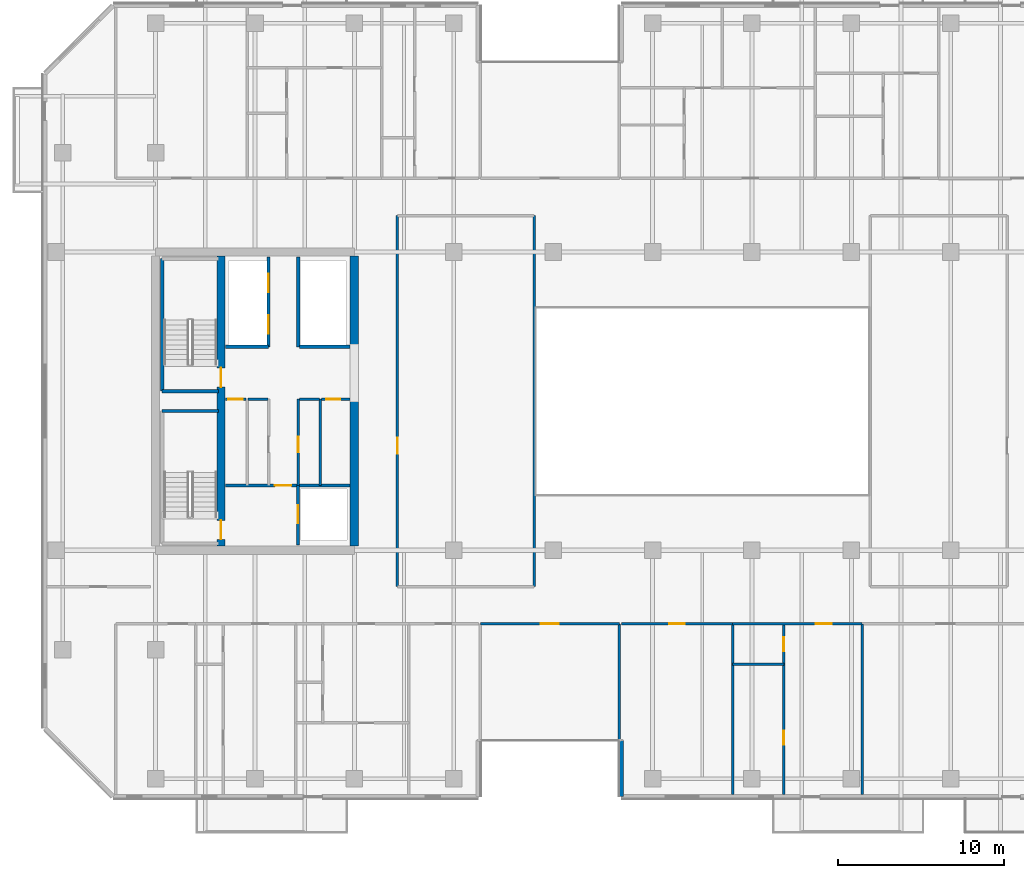
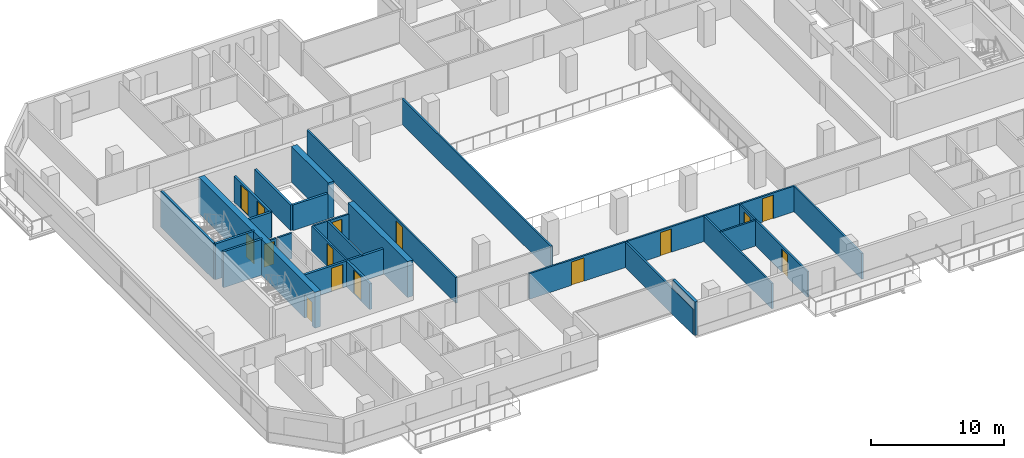
# One storey, part 11 of 23: 29 walls, 15 doors, 15 openings.
"""IFC4 building model written with IfcOpenShell, lengths in metres."""

from ifc_helpers import new_model, si_unit, direction, frame, frame_2d, origin, place, context, subcontext, project, spatial, rectangle, extrude, material, layer, layer_set, type_object, element, fill, save


model = new_model("IFC4")

# Units and contexts
model_context = context("Model", 3, precision=1e-05, world=origin(), true_north=direction((0.0, 1.0)))
body_context = subcontext(model_context, "Body", "Model", "MODEL_VIEW")
ifc_project = project(units=[si_unit("LENGTHUNIT", "METRE"), si_unit("AREAUNIT", "SQUARE_METRE"), si_unit("VOLUMEUNIT", "CUBIC_METRE"), si_unit("PLANEANGLEUNIT", "RADIAN"), si_unit("MASSUNIT", "GRAM", prefix="KILO")], contexts=[model_context])

# Site, building, storey
site_placement = place(None, origin())
site = spatial("IfcSite", under=ifc_project, at=site_placement, CompositionType="ELEMENT")
building_placement = place(site_placement, origin())
building = spatial("IfcBuilding", under=site, at=building_placement, Name="Tanjung Sevakor Pilgrim Tower", CompositionType="ELEMENT")
storey_placement = place(building_placement, frame((0.0, 0.0, 85.469970703125)))
storey = spatial("IfcBuildingStorey", under=building, at=storey_placement, Name="L23", CompositionType="ELEMENT", Elevation=85.469970703125)

# Walls
ifc_material_1 = material(Name="Concrete C60/75", Category="concrete")
ifc_layer_1 = layer(ifc_material_1, 0.5)
ifc_layer_set_1 = layer_set([ifc_layer_1], Name="WALL-CW-500")
wall_type_1 = type_object("IfcWallType", Name="WALL-CW-500", PredefinedType="SHEAR", material=ifc_layer_set_1)
wall_1_placement = place(storey_placement, frame((36.0, 24.85009765625, 0.0), z_axis=(0.0, 0.0, 1.0), x_axis=(0.0, 1.0, 0.0)))
element("IfcWall", 1, at=wall_1_placement, inside=storey, type_object=wall_type_1, Name="L23 W Core Inner Shear Wall South", PredefinedType="SHEAR", context=body_context, shape_type="SweptSolid", body=[
    extrude(rectangle(XDim=8.949951171875, YDim=0.5, at=frame_2d((4.47509765625, 0.0))), origin(), (0.0, 0.0, 1.0), 3.300048828125),
])
wall_2_placement = place(storey_placement, frame((36.0, 36.800048828125, 0.0), z_axis=(0.0, 0.0, 1.0), x_axis=(0.0, 1.0, 0.0)))
element("IfcWall", 2, at=wall_2_placement, inside=storey, type_object=wall_type_1, Name="L23 W Core Inner Shear Wall North", PredefinedType="SHEAR", context=body_context, shape_type="SweptSolid", body=[
    extrude(rectangle(XDim=5.550048828125, YDim=0.5, at=frame_2d((2.77490234375, 0.0))), origin(), (0.0, 0.0, 1.0), 3.300048828125),
])

# Wall, openings, doors
wall_3_placement = place(storey_placement, frame((27.949951171875, 24.85009765625, 0.0), z_axis=(0.0, 0.0, 1.0), x_axis=(0.0, 1.0, 0.0)))
wall_3 = element("IfcWall", 3, at=wall_3_placement, inside=storey, type_object=wall_type_1, Name="L23 W Core Stair Spine Wall", PredefinedType="SHEAR", context=body_context, shape_type="SweptSolid", body=[
    extrude(rectangle(XDim=17.5, YDim=0.5, at=frame_2d((8.75, 0.0))), origin(), (0.0, 0.0, 1.0), 3.300048828125),
])
opening_1_placement = place(wall_3_placement, frame((0.39990234375, 0.0, 0.0)))
opening_1 = element("IfcOpeningElement", 4, at=opening_1_placement, cuts=wall_3, Name="Opening ID-ST1", PredefinedType="OPENING", context=body_context, shape_type="SweptSolid", body=[
    extrude(rectangle(XDim=1.14990234375, YDim=2.14990234375, at=frame_2d((0.574951171875, 1.074951171875))), frame((0.0, 0.260009765625, 0.0), z_axis=(0.0, -1.0, 0.0), x_axis=(1.0, 0.0, 0.0)), (0.0, 0.0, 1.0), 0.52001953125),
])
opening_2_placement = place(wall_3_placement, frame((9.60009765625, 0.0, 0.0)))
opening_2 = element("IfcOpeningElement", 5, at=opening_2_placement, cuts=wall_3, Name="Opening ID-ST1", PredefinedType="OPENING", context=body_context, shape_type="SweptSolid", body=[
    extrude(rectangle(XDim=1.14990234375, YDim=2.14990234375, at=frame_2d((0.574951171875, 1.074951171875))), frame((0.0, 0.260009765625, 0.0), z_axis=(0.0, -1.0, 0.0), x_axis=(1.0, 0.0, 0.0)), (0.0, 0.0, 1.0), 0.52001953125),
])
ifc_material_2 = material(Name="Fire-Rated Steel S355J2", Category="steel")
door_type_1 = type_object("IfcDoorType", Name="DT-FIRE-1150", OperationType="NOTDEFINED", PredefinedType="DOOR", material=ifc_material_2)
door_1_placement = place(opening_1_placement, origin())
door_1 = element("IfcDoor", 6, at=door_1_placement, inside=storey, type_object=door_type_1, Name="L23 TS-W1 Stair Fire Door", OperationType="SINGLE_SWING_LEFT", OverallHeight=2.14990234375, OverallWidth=1.14990234375, PredefinedType="DOOR", context=body_context, shape_type="SweptSolid", body=[
    extrude(rectangle(XDim=1.14990234375, YDim=2.14990234375, at=frame_2d((0.574951171875, 1.074951171875))), frame((0.0, 0.02490234375, 0.0), z_axis=(0.0, -1.0, 0.0), x_axis=(1.0, 0.0, 0.0)), (0.0, 0.0, 1.0), 0.050048828125),
])
fill(opening_1, door_1)
door_2_placement = place(opening_2_placement, origin())
door_2 = element("IfcDoor", 7, at=door_2_placement, inside=storey, type_object=door_type_1, Name="L23 TS-W2 Stair Fire Door", OperationType="SINGLE_SWING_RIGHT", OverallHeight=2.14990234375, OverallWidth=1.14990234375, PredefinedType="DOOR", context=body_context, shape_type="SweptSolid", body=[
    extrude(rectangle(XDim=1.14990234375, YDim=2.14990234375, at=frame_2d((0.574951171875, 1.074951171875))), frame((0.0, 0.02490234375, 0.0), z_axis=(0.0, -1.0, 0.0), x_axis=(1.0, 0.0, 0.0)), (0.0, 0.0, 1.0), 0.050048828125),
])
fill(opening_2, door_2)

# Wall, opening, door
ifc_material_3 = material(Name="Concrete C40/50", Category="concrete")
ifc_layer_2 = layer(ifc_material_3, 0.14990234375)
ifc_layer_set_2 = layer_set([ifc_layer_2], Name="WT-COMP-150")
wall_type_2 = type_object("IfcWallType", Name="WT-COMP-150", PredefinedType="SOLIDWALL", material=ifc_layer_set_2)
wall_4_placement = place(storey_placement, frame((28.219970703125, 33.719970703125, 0.0), z_axis=(0.0, 0.0, 1.0), x_axis=(1.0, 0.0, 0.0)))
wall_4 = element("IfcWall", 8, at=wall_4_placement, inside=storey, type_object=wall_type_2, Name="L23 Partition IW-L23-004", PredefinedType="SOLIDWALL", context=body_context, shape_type="SweptSolid", body=[
    extrude(rectangle(XDim=1.22998046875, YDim=0.14990234375, at=frame_2d((0.614990234375, 0.0))), origin(), (0.0, 0.0, 1.0), 2.35009765625),
])
opening_3_placement = place(wall_4_placement, frame((0.179931640625, 0.0, 0.0)))
opening_3 = element("IfcOpeningElement", 9, at=opening_3_placement, cuts=wall_4, Name="Opening ID-FD3", PredefinedType="OPENING", context=body_context, shape_type="SweptSolid", body=[
    extrude(rectangle(XDim=0.85009765625, YDim=2.10009765625, at=frame_2d((0.425048828125, 1.050048828125))), frame((0.0, 0.0849609375, 0.0), z_axis=(0.0, -1.0, 0.0), x_axis=(1.0, 0.0, 0.0)), (0.0, 0.0, 1.0), 0.169921875),
])
ifc_material_4 = material(Name="Fire-Rated Timber", Category="wood")
door_type_2 = type_object("IfcDoorType", Name="DT-FIRE-850", OperationType="NOTDEFINED", PredefinedType="DOOR", material=ifc_material_4)
door_3_placement = place(opening_3_placement, origin())
door_3 = element("IfcDoor", 10, at=door_3_placement, inside=storey, type_object=door_type_2, Name="L23 Cleaner Store Door", OperationType="SINGLE_SWING_LEFT", OverallHeight=2.10009765625, OverallWidth=0.85009765625, PredefinedType="DOOR", context=body_context, shape_type="SweptSolid", body=[
    extrude(rectangle(XDim=0.85009765625, YDim=2.10009765625, at=frame_2d((0.425048828125, 1.050048828125))), frame((0.0, 0.02490234375, 0.0), z_axis=(0.0, -1.0, 0.0), x_axis=(1.0, 0.0, 0.0)), (0.0, 0.0, 1.0), 0.050048828125),
])
fill(opening_3, door_3)

# Walls
wall_5_placement = place(storey_placement, frame((29.580078125, 33.719970703125, 0.0), z_axis=(0.0, 0.0, 1.0), x_axis=(1.0, 0.0, 0.0)))
element("IfcWall", 11, at=wall_5_placement, inside=storey, type_object=wall_type_2, Name="L23 Partition IW-L23-005", PredefinedType="SOLIDWALL", context=body_context, shape_type="SweptSolid", body=[
    extrude(rectangle(XDim=1.219970703125, YDim=0.14990234375, at=frame_2d((0.60986328125, 0.0))), origin(), (0.0, 0.0, 1.0), 2.35009765625),
])
wall_6_placement = place(storey_placement, frame((33.949951171875, 28.5, 0.0), z_axis=(0.0, 0.0, 1.0), x_axis=(0.0, 1.0, 0.0)))
element("IfcWall", 12, at=wall_6_placement, inside=storey, type_object=wall_type_2, Name="L23 Partition IW-L23-007", PredefinedType="SOLIDWALL", context=body_context, shape_type="SweptSolid", body=[
    extrude(rectangle(XDim=5.219970703125, YDim=0.14990234375, at=frame_2d((2.60986328125, 0.0))), origin(), (0.0, 0.0, 1.0), 2.35009765625),
])
wall_7_placement = place(storey_placement, frame((32.679931640625, 33.719970703125, 0.0), z_axis=(0.0, 0.0, 1.0), x_axis=(1.0, 0.0, 0.0)))
element("IfcWall", 13, at=wall_7_placement, inside=storey, type_object=wall_type_2, Name="L23 Partition IW-L23-008", PredefinedType="SOLIDWALL", context=body_context, shape_type="SweptSolid", body=[
    extrude(rectangle(XDim=1.2099609375, YDim=0.14990234375, at=frame_2d((0.60498046875, 0.0))), origin(), (0.0, 0.0, 1.0), 2.35009765625),
])

# Wall, opening, door
wall_8_placement = place(storey_placement, frame((34.010009765625, 33.719970703125, 0.0), z_axis=(0.0, 0.0, 1.0), x_axis=(1.0, 0.0, 0.0)))
wall_8 = element("IfcWall", 14, at=wall_8_placement, inside=storey, type_object=wall_type_2, Name="L23 Partition IW-L23-009", PredefinedType="SOLIDWALL", context=body_context, shape_type="SweptSolid", body=[
    extrude(rectangle(XDim=1.719970703125, YDim=0.14990234375, at=frame_2d((0.85986328125, 0.0))), origin(), (0.0, 0.0, 1.0), 2.35009765625),
])
opening_4_placement = place(wall_8_placement, frame((0.280029296875, 0.0, 0.0)))
opening_4 = element("IfcOpeningElement", 15, at=opening_4_placement, cuts=wall_8, Name="Opening ID-FD3", PredefinedType="OPENING", context=body_context, shape_type="SweptSolid", body=[
    extrude(rectangle(XDim=0.85009765625, YDim=2.10009765625, at=frame_2d((0.425048828125, 1.050048828125))), frame((0.0, 0.0849609375, 0.0), z_axis=(0.0, -1.0, 0.0), x_axis=(1.0, 0.0, 0.0)), (0.0, 0.0, 1.0), 0.169921875),
])
door_4_placement = place(opening_4_placement, origin())
door_4 = element("IfcDoor", 16, at=door_4_placement, inside=storey, type_object=door_type_2, Name="L23 Service Store Door", OperationType="SINGLE_SWING_LEFT", OverallHeight=2.10009765625, OverallWidth=0.85009765625, PredefinedType="DOOR", context=body_context, shape_type="SweptSolid", body=[
    extrude(rectangle(XDim=0.85009765625, YDim=2.10009765625, at=frame_2d((0.425048828125, 1.050048828125))), frame((0.0, 0.02490234375, 0.0), z_axis=(0.0, -1.0, 0.0), x_axis=(1.0, 0.0, 0.0)), (0.0, 0.0, 1.0), 0.050048828125),
])
fill(opening_4, door_4)

wall_9_placement = place(storey_placement, frame((32.6201171875, 28.5, 0.0), z_axis=(0.0, 0.0, 1.0), x_axis=(0.0, 1.0, 0.0)))
wall_9 = element("IfcWall", 17, at=wall_9_placement, inside=storey, type_object=wall_type_2, Name="L23 Partition IW-L23-010", PredefinedType="SOLIDWALL", context=body_context, shape_type="SweptSolid", body=[
    extrude(rectangle(XDim=5.219970703125, YDim=0.14990234375, at=frame_2d((2.60986328125, 0.0))), origin(), (0.0, 0.0, 1.0), 2.35009765625),
])
opening_5_placement = place(wall_9_placement, frame((2.0, 0.0, 0.0)))
opening_5 = element("IfcOpeningElement", 18, at=opening_5_placement, cuts=wall_9, Name="Opening ID-FD2", PredefinedType="OPENING", context=body_context, shape_type="SweptSolid", body=[
    extrude(rectangle(XDim=0.949951171875, YDim=2.14990234375, at=frame_2d((0.47509765625, 1.074951171875))), frame((0.0, 0.0849609375, 0.0), z_axis=(0.0, -1.0, 0.0), x_axis=(1.0, 0.0, 0.0)), (0.0, 0.0, 1.0), 0.169921875),
])
ifc_material_5 = material(Name="Fire-Rated Timber", Category="wood")
door_type_3 = type_object("IfcDoorType", Name="DT-FIRE-950", OperationType="NOTDEFINED", PredefinedType="DOOR", material=ifc_material_5)
door_5_placement = place(opening_5_placement, origin())
door_5 = element("IfcDoor", 19, at=door_5_placement, inside=storey, type_object=door_type_3, Name="L23 Accessible WC Door", OperationType="SINGLE_SWING_RIGHT", OverallHeight=2.14990234375, OverallWidth=0.949951171875, PredefinedType="DOOR", context=body_context, shape_type="SweptSolid", body=[
    extrude(rectangle(XDim=0.949951171875, YDim=2.14990234375, at=frame_2d((0.47509765625, 1.074951171875))), frame((0.0, 0.02490234375, 0.0), z_axis=(0.0, -1.0, 0.0), x_axis=(1.0, 0.0, 0.0)), (0.0, 0.0, 1.0), 0.050048828125),
])
fill(opening_5, door_5)

wall_10_placement = place(storey_placement, frame((38.60009765625, 22.39990234375, 0.0), z_axis=(0.0, 0.0, 1.0), x_axis=(0.0, 1.0, 0.0)))
wall_10 = element("IfcWall", 20, at=wall_10_placement, inside=storey, type_object=wall_type_2, Name="L23 Partition IW-L23-031", PredefinedType="SOLIDWALL", context=body_context, shape_type="SweptSolid", body=[
    extrude(rectangle(XDim=22.400146484375, YDim=0.14990234375, at=frame_2d((11.2001953125, 0.0))), origin(), (0.0, 0.0, 1.0), 2.35009765625),
])
opening_6_placement = place(wall_10_placement, frame((8.02490234375, 0.0, 0.0)))
opening_6 = element("IfcOpeningElement", 21, at=opening_6_placement, cuts=wall_10, Name="Opening ID-RM1", PredefinedType="OPENING", context=body_context, shape_type="SweptSolid", body=[
    extrude(rectangle(XDim=0.949951171875, YDim=2.14990234375, at=frame_2d((0.47509765625, 1.074951171875))), frame((0.0, 0.0849609375, 0.0), z_axis=(0.0, -1.0, 0.0), x_axis=(1.0, 0.0, 0.0)), (0.0, 0.0, 1.0), 0.169921875),
])
ifc_material_6 = material(Name="Hardwood Timber", Category="wood")
door_type_4 = type_object("IfcDoorType", Name="DT-INT-950", OperationType="NOTDEFINED", PredefinedType="DOOR", material=ifc_material_6)
door_6_placement = place(opening_6_placement, origin())
door_6 = element("IfcDoor", 22, at=door_6_placement, inside=storey, type_object=door_type_4, Name="L23 Central West Room Door", OperationType="SINGLE_SWING_LEFT", OverallHeight=2.14990234375, OverallWidth=0.949951171875, PredefinedType="DOOR", context=body_context, shape_type="SweptSolid", body=[
    extrude(rectangle(XDim=0.949951171875, YDim=2.14990234375, at=frame_2d((0.47509765625, 1.074951171875))), frame((0.0, 0.02490234375, 0.0), z_axis=(0.0, -1.0, 0.0), x_axis=(1.0, 0.0, 0.0)), (0.0, 0.0, 1.0), 0.050048828125),
])
fill(opening_6, door_6)

# Wall
wall_11_placement = place(storey_placement, frame((46.85009765625, 22.39990234375, 0.0), z_axis=(0.0, 0.0, 1.0), x_axis=(0.0, 1.0, 0.0)))
element("IfcWall", 23, at=wall_11_placement, inside=storey, type_object=wall_type_2, Name="L23 Partition IW-L23-032", PredefinedType="SOLIDWALL", context=body_context, shape_type="SweptSolid", body=[
    extrude(rectangle(XDim=22.400146484375, YDim=0.14990234375, at=frame_2d((11.2001953125, 0.0))), origin(), (0.0, 0.0, 1.0), 2.35009765625),
])

# Wall, opening, door
wall_12_placement = place(storey_placement, frame((43.60009765625, 20.14990234375, 0.0), z_axis=(0.0, 0.0, 1.0), x_axis=(1.0, 0.0, 0.0)))
wall_12 = element("IfcWall", 24, at=wall_12_placement, inside=storey, type_object=wall_type_2, Name="L23 Partition IW-L23-045", PredefinedType="SOLIDWALL", context=body_context, shape_type="SweptSolid", body=[
    extrude(rectangle(XDim=8.39990234375, YDim=0.14990234375, at=frame_2d((4.199951171875, 0.0))), origin(), (0.0, 0.0, 1.0), 2.35009765625),
])
opening_7_placement = place(wall_12_placement, frame((3.64990234375, 0.0, 0.0)))
opening_7 = element("IfcOpeningElement", 25, at=opening_7_placement, cuts=wall_12, Name="Opening ID-RM2", PredefinedType="OPENING", context=body_context, shape_type="SweptSolid", body=[
    extrude(rectangle(XDim=1.10009765625, YDim=2.14990234375, at=frame_2d((0.550048828125, 1.074951171875))), frame((0.0, 0.0849609375, 0.0), z_axis=(0.0, -1.0, 0.0), x_axis=(1.0, 0.0, 0.0)), (0.0, 0.0, 1.0), 0.169921875),
])
ifc_material_7 = material(Name="Hardwood Timber", Category="wood")
door_type_5 = type_object("IfcDoorType", Name="DT-INT-1100", OperationType="NOTDEFINED", PredefinedType="DOOR", material=ifc_material_7)
door_7_placement = place(opening_7_placement, origin())
door_7 = element("IfcDoor", 26, at=door_7_placement, inside=storey, type_object=door_type_5, Name="L23 South Cleft Communal Lounge Door", OperationType="SINGLE_SWING_LEFT", OverallHeight=2.14990234375, OverallWidth=1.10009765625, PredefinedType="DOOR", context=body_context, shape_type="SweptSolid", body=[
    extrude(rectangle(XDim=1.10009765625, YDim=2.14990234375, at=frame_2d((0.550048828125, 1.074951171875))), frame((0.0, 0.02490234375, 0.0), z_axis=(0.0, -1.0, 0.0), x_axis=(1.0, 0.0, 0.0)), (0.0, 0.0, 1.0), 0.050048828125),
])
fill(opening_7, door_7)

# Walls
for number, where, z_axis, x_axis, name in (
    (27, (52.0, 9.85009765625, 0.0), (0.0, 0.0, 1.0), (0.0, 1.0, 0.0), "L23 Partition IW-L23-047"),
    (28, (58.827880859375, 9.85009765625, 0.0), (0.0, 0.0, 1.0), (0.0, 1.0, 0.0), "L23 Partition IW-L23-065"),
):
    element("IfcWall", number, at=place(storey_placement, frame(where, z_axis=z_axis, x_axis=x_axis)), inside=storey, type_object=wall_type_2, Name=name, PredefinedType="SOLIDWALL", context=body_context, shape_type="SweptSolid", body=[
        extrude(rectangle(XDim=10.2998046875, YDim=0.14990234375, at=frame_2d((5.14990234375, 0.0))), origin(), (0.0, 0.0, 1.0), 2.35009765625),
    ])

# Wall, opening, door
wall_13_placement = place(storey_placement, frame((52.1201171875, 20.14990234375, 0.0), z_axis=(0.0, 0.0, 1.0), x_axis=(1.0, 0.0, 0.0)))
wall_13 = element("IfcWall", 29, at=wall_13_placement, inside=storey, type_object=wall_type_2, Name="L23 Partition IW-L23-066", PredefinedType="SOLIDWALL", context=body_context, shape_type="SweptSolid", body=[
    extrude(rectangle(XDim=6.707763671875, YDim=0.14990234375, at=frame_2d((3.35400390625, 0.0))), origin(), (0.0, 0.0, 1.0), 2.35009765625),
])
opening_8_placement = place(wall_13_placement, frame((2.87890625, 0.0, 0.0)))
opening_8 = element("IfcOpeningElement", 30, at=opening_8_placement, cuts=wall_13, Name="Opening ID-FD2", PredefinedType="OPENING", context=body_context, shape_type="SweptSolid", body=[
    extrude(rectangle(XDim=0.949951171875, YDim=2.14990234375, at=frame_2d((0.47509765625, 1.074951171875))), frame((0.0, 0.0849609375, 0.0), z_axis=(0.0, -1.0, 0.0), x_axis=(1.0, 0.0, 0.0)), (0.0, 0.0, 1.0), 0.169921875),
])
door_8_placement = place(opening_8_placement, origin())
door_8 = element("IfcDoor", 31, at=door_8_placement, inside=storey, type_object=door_type_3, Name="Housekeeping Pantry Door", OperationType="SINGLE_SWING_RIGHT", OverallHeight=2.14990234375, OverallWidth=0.949951171875, PredefinedType="DOOR", context=body_context, shape_type="SweptSolid", body=[
    extrude(rectangle(XDim=0.949951171875, YDim=2.14990234375, at=frame_2d((0.47509765625, 1.074951171875))), frame((0.0, 0.02490234375, 0.0), z_axis=(0.0, -1.0, 0.0), x_axis=(1.0, 0.0, 0.0)), (0.0, 0.0, 1.0), 0.050048828125),
])
fill(opening_8, door_8)

# Wall
wall_14_placement = place(storey_placement, frame((66.653564453125, 9.85009765625, 0.0), z_axis=(0.0, 0.0, 1.0), x_axis=(0.0, 1.0, 0.0)))
element("IfcWall", 32, at=wall_14_placement, inside=storey, type_object=wall_type_2, Name="L23 Partition IW-L23-067", PredefinedType="SOLIDWALL", context=body_context, shape_type="SweptSolid", body=[
    extrude(rectangle(XDim=10.2998046875, YDim=0.14990234375, at=frame_2d((5.14990234375, 0.0))), origin(), (0.0, 0.0, 1.0), 2.35009765625),
])

# Wall, opening, door
wall_15_placement = place(storey_placement, frame((58.827880859375, 20.14990234375, 0.0), z_axis=(0.0, 0.0, 1.0), x_axis=(1.0, 0.0, 0.0)))
wall_15 = element("IfcWall", 33, at=wall_15_placement, inside=storey, type_object=wall_type_2, Name="L23 Partition IW-L23-070", PredefinedType="SOLIDWALL", context=body_context, shape_type="SweptSolid", body=[
    extrude(rectangle(XDim=7.82568359375, YDim=0.14990234375, at=frame_2d((3.912841796875, 0.0))), origin(), (0.0, 0.0, 1.0), 2.35009765625),
])
opening_9_placement = place(wall_15_placement, frame((5.02392578125, 0.0, 0.0)))
opening_9 = element("IfcOpeningElement", 34, at=opening_9_placement, cuts=wall_15, Name="Opening ID-FD2", PredefinedType="OPENING", context=body_context, shape_type="SweptSolid", body=[
    extrude(rectangle(XDim=0.949951171875, YDim=2.14990234375, at=frame_2d((0.47509765625, 1.074951171875))), frame((0.0, 0.0849609375, 0.0), z_axis=(0.0, -1.0, 0.0), x_axis=(1.0, 0.0, 0.0)), (0.0, 0.0, 1.0), 0.169921875),
])
door_9_placement = place(opening_9_placement, origin())
door_9 = element("IfcDoor", 35, at=door_9_placement, inside=storey, type_object=door_type_3, Name="Hostel Quad Entrance", OperationType="SINGLE_SWING_LEFT", OverallHeight=2.14990234375, OverallWidth=0.949951171875, PredefinedType="DOOR", context=body_context, shape_type="SweptSolid", body=[
    extrude(rectangle(XDim=0.949951171875, YDim=2.14990234375, at=frame_2d((0.47509765625, 1.074951171875))), frame((0.0, 0.02490234375, 0.0), z_axis=(0.0, -1.0, 0.0), x_axis=(1.0, 0.0, 0.0)), (0.0, 0.0, 1.0), 0.050048828125),
])
fill(opening_9, door_9)

# Walls
ifc_material_8 = material(Name="Precast concrete C45/55", Category="concrete")
ifc_layer_3 = layer(ifc_material_8, 0.25)
ifc_layer_set_3 = layer_set([ifc_layer_3], Name="WT-EW-STN3")
wall_type_3 = type_object("IfcWallType", Name="WT-EW-STN3", PredefinedType="SOLIDWALL", material=ifc_layer_set_3)
wall_16_placement = place(storey_placement, frame((52.125, 13.125, 0.0), z_axis=(0.0, 0.0, 1.0), x_axis=(0.0, -1.0, 0.0)))
element("IfcWall", 36, at=wall_16_placement, inside=storey, type_object=wall_type_3, Name="L23 MAIN Exterior Wall 4", PredefinedType="SOLIDWALL", context=body_context, shape_type="SweptSolid", body=[
    extrude(rectangle(XDim=3.39990234375, YDim=0.25, at=frame_2d((1.699951171875, 0.0))), origin(), (0.0, 0.0, 1.0), 3.080078125),
])
ifc_material_9 = material(Name="Concrete C40/50", Category="concrete")
ifc_layer_4 = layer(ifc_material_9, 0.199951171875)
ifc_layer_set_4 = layer_set([ifc_layer_4], Name="WT-FIRE-200")
wall_type_4 = type_object("IfcWallType", Name="WT-FIRE-200", PredefinedType="SOLIDWALL", material=ifc_layer_set_4)
for number, where, z_axis, x_axis, name in (
    (37, (27.800048828125, 33.0, 0.0), (0.0, 0.0, 1.0), (-1.0, 0.0, 0.0), "L23 TS-W1 Shaft Wall 2"),
    (38, (24.39990234375, 34.199951171875, 0.0), (0.0, 0.0, 1.0), (1.0, 0.0, 0.0), "L23 TS-W2 Shaft Wall 1"),
):
    element("IfcWall", number, at=place(storey_placement, frame(where, z_axis=z_axis, x_axis=x_axis)), inside=storey, type_object=wall_type_4, Name=name, PredefinedType="SOLIDWALL", context=body_context, shape_type="SweptSolid", body=[
        extrude(rectangle(XDim=3.400146484375, YDim=0.199951171875, at=frame_2d((1.7001953125, 0.0))), origin(), (0.0, 0.0, 1.0), 3.300048828125),
    ])
wall_17_placement = place(storey_placement, frame((24.39990234375, 42.199951171875, 0.0), z_axis=(0.0, 0.0, 1.0), x_axis=(0.0, -1.0, 0.0)))
element("IfcWall", 39, at=wall_17_placement, inside=storey, type_object=wall_type_4, Name="L23 TS-W2 Shaft Wall 3", PredefinedType="SOLIDWALL", context=body_context, shape_type="SweptSolid", body=[
    extrude(rectangle(XDim=8.0, YDim=0.199951171875, at=frame_2d((4.0, 0.0))), origin(), (0.0, 0.0, 1.0), 3.300048828125),
])

# Wall, opening, door
ifc_material_10 = material(Name="Concrete C40/50", Category="concrete")
ifc_layer_5 = layer(ifc_material_10, 0.199951171875)
ifc_layer_set_5 = layer_set([ifc_layer_5], Name="WT-FPRT-200")
wall_type_5 = type_object("IfcWallType", Name="WT-FPRT-200", PredefinedType="SOLIDWALL", material=ifc_layer_set_5)
wall_18_placement = place(storey_placement, frame((32.60009765625, 24.919921875, 0.0), z_axis=(0.0, 0.0, 1.0), x_axis=(0.0, 1.0, 0.0)))
wall_18 = element("IfcWall", 40, at=wall_18_placement, inside=storey, type_object=wall_type_5, Name="L23 Partition IW-L23-001", PredefinedType="SOLIDWALL", context=body_context, shape_type="SweptSolid", body=[
    extrude(rectangle(XDim=3.580078125, YDim=0.199951171875, at=frame_2d((1.7900390625, 0.0))), origin(), (0.0, 0.0, 1.0), 2.35009765625),
])
opening_10_placement = place(wall_18_placement, frame((1.300048828125, 0.0, 0.0)))
opening_10 = element("IfcOpeningElement", 41, at=opening_10_placement, cuts=wall_18, Name="Opening LD-1100", PredefinedType="OPENING", context=body_context, shape_type="SweptSolid", body=[
    extrude(rectangle(XDim=1.10009765625, YDim=2.199951171875, at=frame_2d((0.550048828125, 1.10009765625))), frame((0.0, 0.10986328125, 0.0), z_axis=(0.0, -1.0, 0.0), x_axis=(1.0, 0.0, 0.0)), (0.0, 0.0, 1.0), 0.219970703125),
])
ifc_material_11 = material(Name="Brushed Stainless Steel S355J2", Category="steel")
door_type_6 = type_object("IfcDoorType", Name="DT-LIFT-1100", OperationType="SLIDING_TO_LEFT", PredefinedType="DOOR", material=ifc_material_11)
door_10_placement = place(opening_10_placement, origin())
door_10 = element("IfcDoor", 42, at=door_10_placement, inside=storey, type_object=door_type_6, Name="LD-FL-W", OperationType="SLIDING_TO_LEFT", OverallHeight=2.199951171875, OverallWidth=1.10009765625, PredefinedType="DOOR", context=body_context, shape_type="SweptSolid", body=[
    extrude(rectangle(XDim=1.10009765625, YDim=2.199951171875, at=frame_2d((0.550048828125, 1.10009765625))), frame((0.0, 0.02490234375, 0.0), z_axis=(0.0, -1.0, 0.0), x_axis=(1.0, 0.0, 0.0)), (0.0, 0.0, 1.0), 0.050048828125),
])
fill(opening_10, door_10)

wall_19_placement = place(storey_placement, frame((28.219970703125, 28.5, 0.0), z_axis=(0.0, 0.0, 1.0), x_axis=(1.0, 0.0, 0.0)))
wall_19 = element("IfcWall", 43, at=wall_19_placement, inside=storey, type_object=wall_type_5, Name="L23 Partition IW-L23-002", PredefinedType="SOLIDWALL", context=body_context, shape_type="SweptSolid", body=[
    extrude(rectangle(XDim=7.510009765625, YDim=0.199951171875, at=frame_2d((3.7548828125, 0.0))), origin(), (0.0, 0.0, 1.0), 2.35009765625),
])
opening_11_placement = place(wall_19_placement, frame((2.97998046875, 0.0, 0.0)))
opening_11 = element("IfcOpeningElement", 44, at=opening_11_placement, cuts=wall_19, Name="Opening ID-FD1", PredefinedType="OPENING", context=body_context, shape_type="SweptSolid", body=[
    extrude(rectangle(XDim=1.0, YDim=2.14990234375, at=frame_2d((0.5, 1.074951171875))), frame((0.0, 0.10986328125, 0.0), z_axis=(0.0, -1.0, 0.0), x_axis=(1.0, 0.0, 0.0)), (0.0, 0.0, 1.0), 0.219970703125),
])
ifc_material_12 = material(Name="Fire-Rated Steel S355J2", Category="steel")
door_type_7 = type_object("IfcDoorType", Name="DT-FIRE-1000", OperationType="NOTDEFINED", PredefinedType="DOOR", material=ifc_material_12)
door_11_placement = place(opening_11_placement, origin())
door_11 = element("IfcDoor", 45, at=door_11_placement, inside=storey, type_object=door_type_7, Name="Fire Lobby Door W", OperationType="SINGLE_SWING_RIGHT", OverallHeight=2.14990234375, OverallWidth=1.0, PredefinedType="DOOR", context=body_context, shape_type="SweptSolid", body=[
    extrude(rectangle(XDim=1.0, YDim=2.14990234375, at=frame_2d((0.5, 1.074951171875))), frame((0.0, 0.02490234375, 0.0), z_axis=(0.0, -1.0, 0.0), x_axis=(1.0, 0.0, 0.0)), (0.0, 0.0, 1.0), 0.050048828125),
])
fill(opening_11, door_11)

# Wall
wall_20_placement = place(storey_placement, frame((28.219970703125, 36.8798828125, 0.0), z_axis=(0.0, 0.0, 1.0), x_axis=(1.0, 0.0, 0.0)))
element("IfcWall", 46, at=wall_20_placement, inside=storey, type_object=wall_type_5, Name="L23 Partition IW-L23-011", PredefinedType="SOLIDWALL", context=body_context, shape_type="SweptSolid", body=[
    extrude(rectangle(XDim=2.580078125, YDim=0.199951171875, at=frame_2d((1.2900390625, 0.0))), origin(), (0.0, 0.0, 1.0), 2.35009765625),
])

# Wall, openings, doors
wall_21_placement = place(storey_placement, frame((30.820068359375, 36.8798828125, 0.0), z_axis=(0.0, 0.0, 1.0), x_axis=(0.0, 1.0, 0.0)))
wall_21 = element("IfcWall", 47, at=wall_21_placement, inside=storey, type_object=wall_type_5, Name="L23 Partition IW-L23-012", PredefinedType="SOLIDWALL", context=body_context, shape_type="SweptSolid", body=[
    extrude(rectangle(XDim=5.420166015625, YDim=0.199951171875, at=frame_2d((2.7099609375, 0.0))), origin(), (0.0, 0.0, 1.0), 2.35009765625),
])
opening_12_placement = place(wall_21_placement, frame((0.800048828125, 0.0, 0.0)))
opening_12 = element("IfcOpeningElement", 48, at=opening_12_placement, cuts=wall_21, Name="Opening LD-1100", PredefinedType="OPENING", context=body_context, shape_type="SweptSolid", body=[
    extrude(rectangle(XDim=1.10009765625, YDim=2.199951171875, at=frame_2d((0.550048828125, 1.10009765625))), frame((0.0, 0.10986328125, 0.0), z_axis=(0.0, -1.0, 0.0), x_axis=(1.0, 0.0, 0.0)), (0.0, 0.0, 1.0), 0.219970703125),
])
opening_13_placement = place(wall_21_placement, frame((3.300048828125, 0.0, 0.0)))
opening_13 = element("IfcOpeningElement", 49, at=opening_13_placement, cuts=wall_21, Name="Opening LD-1100", PredefinedType="OPENING", context=body_context, shape_type="SweptSolid", body=[
    extrude(rectangle(XDim=1.10009765625, YDim=2.199951171875, at=frame_2d((0.550048828125, 1.10009765625))), frame((0.0, 0.10986328125, 0.0), z_axis=(0.0, -1.0, 0.0), x_axis=(1.0, 0.0, 0.0)), (0.0, 0.0, 1.0), 0.219970703125),
])
door_12_placement = place(opening_12_placement, origin())
door_12 = element("IfcDoor", 50, at=door_12_placement, inside=storey, type_object=door_type_6, Name="LD-PLM1-W", OperationType="SLIDING_TO_LEFT", OverallHeight=2.199951171875, OverallWidth=1.10009765625, PredefinedType="DOOR", context=body_context, shape_type="SweptSolid", body=[
    extrude(rectangle(XDim=1.10009765625, YDim=2.199951171875, at=frame_2d((0.550048828125, 1.10009765625))), frame((0.0, 0.02490234375, 0.0), z_axis=(0.0, -1.0, 0.0), x_axis=(1.0, 0.0, 0.0)), (0.0, 0.0, 1.0), 0.050048828125),
])
fill(opening_12, door_12)
door_13_placement = place(opening_13_placement, origin())
door_13 = element("IfcDoor", 51, at=door_13_placement, inside=storey, type_object=door_type_6, Name="LD-PLM2-W", OperationType="SLIDING_TO_RIGHT", OverallHeight=2.199951171875, OverallWidth=1.10009765625, PredefinedType="DOOR", context=body_context, shape_type="SweptSolid", body=[
    extrude(rectangle(XDim=1.10009765625, YDim=2.199951171875, at=frame_2d((0.550048828125, 1.10009765625))), frame((0.0, 0.02490234375, 0.0), z_axis=(0.0, -1.0, 0.0), x_axis=(1.0, 0.0, 0.0)), (0.0, 0.0, 1.0), 0.050048828125),
])
fill(opening_13, door_13)

# Walls
wall_22_placement = place(storey_placement, frame((32.679931640625, 36.8798828125, 0.0), z_axis=(0.0, 0.0, 1.0), x_axis=(1.0, 0.0, 0.0)))
element("IfcWall", 52, at=wall_22_placement, inside=storey, type_object=wall_type_5, Name="L23 Partition IW-L23-013", PredefinedType="SOLIDWALL", context=body_context, shape_type="SweptSolid", body=[
    extrude(rectangle(XDim=3.050048828125, YDim=0.199951171875, at=frame_2d((1.52490234375, 0.0))), origin(), (0.0, 0.0, 1.0), 2.35009765625),
])
wall_23_placement = place(storey_placement, frame((32.6201171875, 36.8798828125, 0.0), z_axis=(0.0, 0.0, 1.0), x_axis=(0.0, 1.0, 0.0)))
element("IfcWall", 53, at=wall_23_placement, inside=storey, type_object=wall_type_5, Name="L23 Partition IW-L23-014", PredefinedType="SOLIDWALL", context=body_context, shape_type="SweptSolid", body=[
    extrude(rectangle(XDim=5.420166015625, YDim=0.199951171875, at=frame_2d((2.7099609375, 0.0))), origin(), (0.0, 0.0, 1.0), 2.35009765625),
])
ifc_material_13 = material(Name="Gypsum Board Partition", Category="gypsum board")
ifc_layer_6 = layer(ifc_material_13, 0.14990234375)
ifc_layer_set_6 = layer_set([ifc_layer_6], Name="WT-PART-150")
wall_type_6 = type_object("IfcWallType", Name="WT-PART-150", PredefinedType="PARTITIONING", material=ifc_layer_set_6)
wall_24_placement = place(storey_placement, frame((58.827880859375, 17.699951171875, 0.0), z_axis=(0.0, 0.0, 1.0), x_axis=(1.0, 0.0, 0.0)))
element("IfcWall", 54, at=wall_24_placement, inside=storey, type_object=wall_type_6, Name="L23 Partition IW-L23-068", PredefinedType="PARTITIONING", context=body_context, shape_type="SweptSolid", body=[
    extrude(rectangle(XDim=3.092041015625, YDim=0.14990234375, at=frame_2d((1.5458984375, 0.0))), origin(), (0.0, 0.0, 1.0), 2.35009765625),
])

# Wall, openings, doors
wall_25_placement = place(storey_placement, frame((61.919921875, 9.85009765625, 0.0), z_axis=(0.0, 0.0, 1.0), x_axis=(0.0, 1.0, 0.0)))
wall_25 = element("IfcWall", 55, at=wall_25_placement, inside=storey, type_object=wall_type_6, Name="L23 Partition IW-L23-069", PredefinedType="PARTITIONING", context=body_context, shape_type="SweptSolid", body=[
    extrude(rectangle(XDim=10.2998046875, YDim=0.14990234375, at=frame_2d((5.14990234375, 0.0))), origin(), (0.0, 0.0, 1.0), 2.35009765625),
])
opening_14_placement = place(wall_25_placement, frame((3.0, 0.0, 0.0)))
opening_14 = element("IfcOpeningElement", 56, at=opening_14_placement, cuts=wall_25, Name="Opening ID-WC1", PredefinedType="OPENING", context=body_context, shape_type="SweptSolid", body=[
    extrude(rectangle(XDim=0.85009765625, YDim=2.10009765625, at=frame_2d((0.425048828125, 1.050048828125))), frame((0.0, 0.0849609375, 0.0), z_axis=(0.0, -1.0, 0.0), x_axis=(1.0, 0.0, 0.0)), (0.0, 0.0, 1.0), 0.169921875),
])
opening_15_placement = place(wall_25_placement, frame((8.64990234375, 0.0, 0.0)))
opening_15 = element("IfcOpeningElement", 57, at=opening_15_placement, cuts=wall_25, Name="Opening ID-WC1", PredefinedType="OPENING", context=body_context, shape_type="SweptSolid", body=[
    extrude(rectangle(XDim=0.85009765625, YDim=2.10009765625, at=frame_2d((0.425048828125, 1.050048828125))), frame((0.0, 0.0849609375, 0.0), z_axis=(0.0, -1.0, 0.0), x_axis=(1.0, 0.0, 0.0)), (0.0, 0.0, 1.0), 0.169921875),
])
ifc_material_14 = material(Name="Moisture-Resistant Timber", Category="wood")
door_type_8 = type_object("IfcDoorType", Name="DT-INT-850", OperationType="NOTDEFINED", PredefinedType="DOOR", material=ifc_material_14)
door_14_placement = place(opening_14_placement, origin())
door_14 = element("IfcDoor", 58, at=door_14_placement, inside=storey, type_object=door_type_8, Name="Study Nook Door", OperationType="SINGLE_SWING_LEFT", OverallHeight=2.10009765625, OverallWidth=0.85009765625, PredefinedType="DOOR", context=body_context, shape_type="SweptSolid", body=[
    extrude(rectangle(XDim=0.85009765625, YDim=2.10009765625, at=frame_2d((0.425048828125, 1.050048828125))), frame((0.0, 0.02490234375, 0.0), z_axis=(0.0, -1.0, 0.0), x_axis=(1.0, 0.0, 0.0)), (0.0, 0.0, 1.0), 0.050048828125),
])
fill(opening_14, door_14)
door_15_placement = place(opening_15_placement, origin())
door_15 = element("IfcDoor", 59, at=door_15_placement, inside=storey, type_object=door_type_8, Name="Bathroom Door", OperationType="SINGLE_SWING_RIGHT", OverallHeight=2.10009765625, OverallWidth=0.85009765625, PredefinedType="DOOR", context=body_context, shape_type="SweptSolid", body=[
    extrude(rectangle(XDim=0.85009765625, YDim=2.10009765625, at=frame_2d((0.425048828125, 1.050048828125))), frame((0.0, 0.02490234375, 0.0), z_axis=(0.0, -1.0, 0.0), x_axis=(1.0, 0.0, 0.0)), (0.0, 0.0, 1.0), 0.050048828125),
])
fill(opening_15, door_15)

save(model, "model.ifc")
